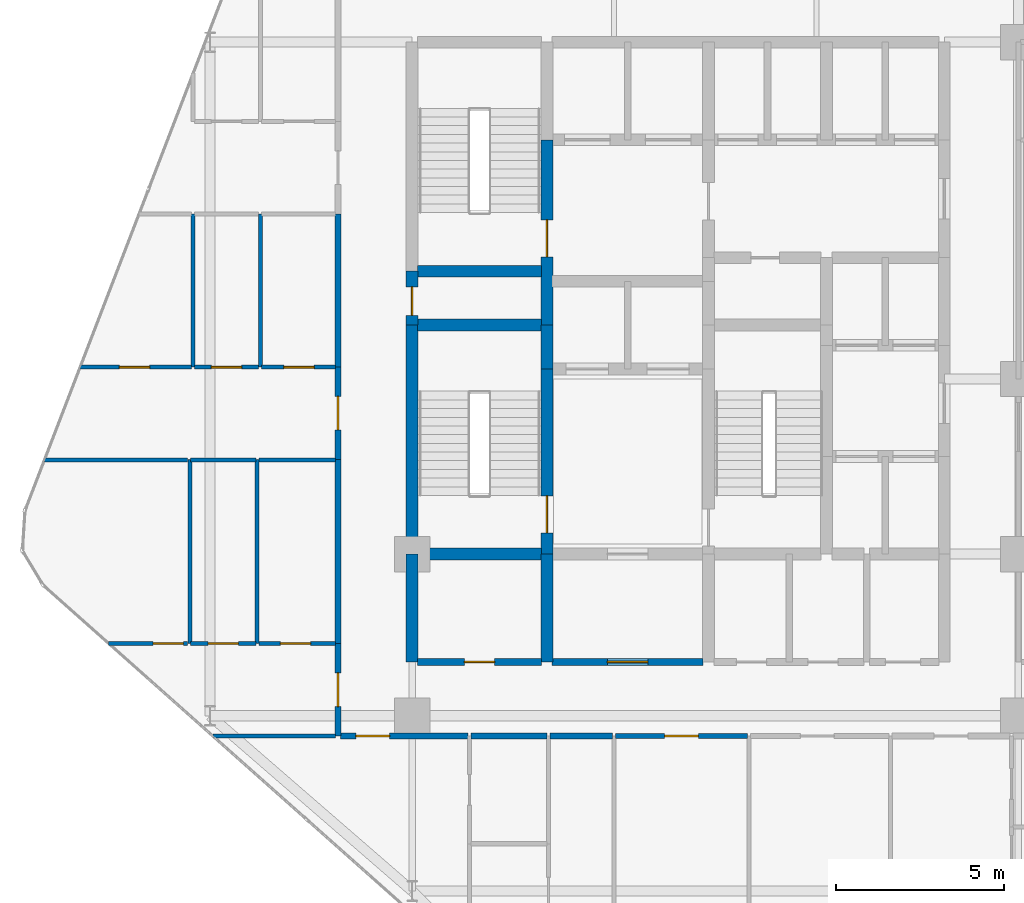
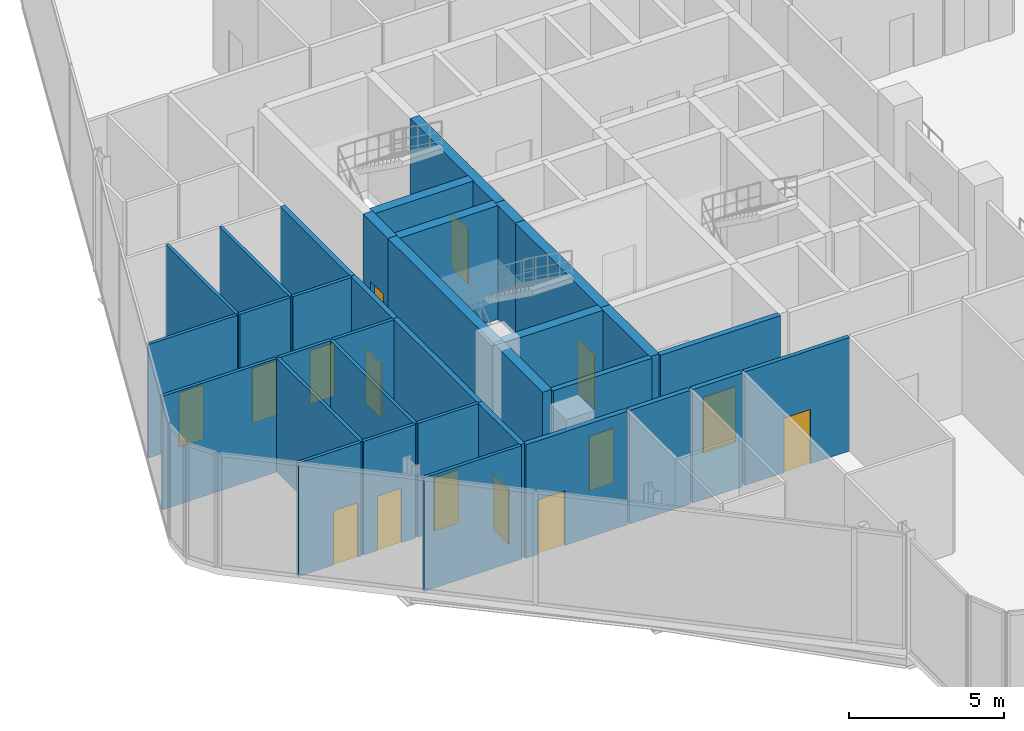
# One storey, part 23 of 29: 34 walls, 15 doors, 15 openings.
"""IFC4 building model written with IfcOpenShell, lengths in metres."""

from ifc_helpers import new_model, si_unit, direction, frame, frame_2d, origin, place, context, subcontext, project, spatial, rectangle, extrude, material, layer, layer_set, type_object, element, fill, save


model = new_model("IFC4")

# Units and contexts
model_context = context("Model", 3, precision=1e-05, world=origin(), true_north=direction((0.0, 1.0)))
body_context = subcontext(model_context, "Body", "Model", "MODEL_VIEW")
ifc_project = project(units=[si_unit("LENGTHUNIT", "METRE"), si_unit("AREAUNIT", "SQUARE_METRE"), si_unit("VOLUMEUNIT", "CUBIC_METRE"), si_unit("PLANEANGLEUNIT", "RADIAN"), si_unit("MASSUNIT", "GRAM", prefix="KILO")], contexts=[model_context])

# Site, building, storey
site_placement = place(None, origin())
site = spatial("IfcSite", under=ifc_project, at=site_placement, CompositionType="ELEMENT")
building_placement = place(site_placement, origin())
building = spatial("IfcBuilding", under=site, at=building_placement, Name="Keshet Zoharim Tower", CompositionType="ELEMENT")
storey_placement = place(building_placement, frame((0.0, 0.0, 120.5)))
storey = spatial("IfcBuildingStorey", under=building, at=storey_placement, Name="L29", CompositionType="ELEMENT", Elevation=120.5)

# Wall, opening, door
ifc_material_1 = material(Name="Gypsum Plasterboard", Category="gypsum")
ifc_layer_1 = layer(ifc_material_1, 0.14990234375)
ifc_layer_set_1 = layer_set([ifc_layer_1], Name="Gypsum Plasterboard")
wall_type_1 = type_object("IfcWallType", Name="WL-CLIN-150", PredefinedType="STANDARD", material=ifc_layer_set_1)
wall_1_placement = place(storey_placement, frame((21.044921875, 17.300048828125, 0.0), z_axis=(0.0, 0.0, 1.0), x_axis=(1.0, 0.0, 0.0)))
wall_1 = element("IfcWall", 1, at=wall_1_placement, inside=storey, type_object=wall_type_1, Name="L29 Interior Wall 134", PredefinedType="STANDARD", context=body_context, shape_type="SweptSolid", body=[
    extrude(rectangle(XDim=3.91015625, YDim=0.14990234375, at=frame_2d((1.955078125, 0.0))), origin(), (0.0, 0.0, 1.0), 4.47998046875),
])
opening_1_placement = place(wall_1_placement, frame((1.455078125, 0.0, 0.0)))
opening_1 = element("IfcOpeningElement", 2, at=opening_1_placement, cuts=wall_1, Name="Opening D-F310", PredefinedType="OPENING", context=body_context, shape_type="SweptSolid", body=[
    extrude(rectangle(XDim=1.0, YDim=2.14990234375, at=frame_2d((0.5, 1.074951171875))), frame((0.0, 0.0849609375, 0.0), z_axis=(0.0, -1.0, 0.0), x_axis=(1.0, 0.0, 0.0)), (0.0, 0.0, 1.0), 0.169921875),
])
ifc_material_2 = material(Name="Hardwood Timber", Category="wood")
door_type_1 = type_object("IfcDoorType", Name="DR-FD30-100", OperationType="NOTDEFINED", PredefinedType="DOOR", material=ifc_material_2)
door_1_placement = place(opening_1_placement, origin())
door_1 = element("IfcDoor", 3, at=door_1_placement, inside=storey, type_object=door_type_1, Name="L29 Shared Floor Laundry Room Door", OperationType="SINGLE_SWING_LEFT", OverallHeight=2.14990234375, OverallWidth=1.0, PredefinedType="DOOR", context=body_context, shape_type="SweptSolid", body=[
    extrude(rectangle(XDim=1.0, YDim=2.14990234375, at=frame_2d((0.5, 1.074951171875))), frame((0.0, 0.02490234375, 0.0), z_axis=(0.0, -1.0, 0.0), x_axis=(1.0, 0.0, 0.0)), (0.0, 0.0, 1.0), 0.050048828125),
])
fill(opening_1, door_1)

# Walls
ifc_material_3 = material(Name="Concrete C60/75", Category="concrete")
ifc_layer_2 = layer(ifc_material_3, 0.35009765625)
ifc_layer_set_2 = layer_set([ifc_layer_2], Name="Concrete C60/75")
wall_type_2 = type_object("IfcWallType", Name="WL-CORE-350", PredefinedType="SHEAR", material=ifc_layer_set_2)
wall_2_placement = place(storey_placement, frame((15.0, 19.5, 0.0), z_axis=(0.0, 0.0, 1.0), x_axis=(0.0, 1.0, 0.0)))
element("IfcWall", 4, at=wall_2_placement, inside=storey, type_object=wall_type_2, Name="L29 Core Shear Wall 013", PredefinedType="SHEAR", context=body_context, shape_type="SweptSolid", body=[
    extrude(rectangle(XDim=3.199951171875, YDim=0.35009765625, at=frame_2d((1.60009765625, 0.0))), origin(), (0.0, 0.0, 1.0), 4.47998046875),
])
wall_3_placement = place(storey_placement, frame((15.0, 22.699951171875, 0.0), z_axis=(0.0, 0.0, 1.0), x_axis=(0.0, 1.0, 0.0)))
element("IfcWall", 5, at=wall_3_placement, inside=storey, type_object=wall_type_2, Name="L29 Core Shear Wall 014", PredefinedType="SHEAR", context=body_context, shape_type="SweptSolid", body=[
    extrude(rectangle(XDim=6.800048828125, YDim=0.35009765625, at=frame_2d((3.39990234375, 0.0))), origin(), (0.0, 0.0, 1.0), 4.47998046875),
])

# Wall, opening, door
wall_4_placement = place(storey_placement, frame((15.0, 29.5, 0.0), z_axis=(0.0, 0.0, 1.0), x_axis=(0.0, 1.0, 0.0)))
wall_4 = element("IfcWall", 6, at=wall_4_placement, inside=storey, type_object=wall_type_2, Name="L29 Core Shear Wall 015", PredefinedType="SHEAR", context=body_context, shape_type="SweptSolid", body=[
    extrude(rectangle(XDim=1.60009765625, YDim=0.35009765625, at=frame_2d((0.800048828125, 0.0))), origin(), (0.0, 0.0, 1.0), 4.47998046875),
])
opening_2_placement = place(wall_4_placement, frame((0.287109375, 0.0, 0.0)))
opening_2 = element("IfcOpeningElement", 7, at=opening_2_placement, cuts=wall_4, Name="Opening D-RS85", PredefinedType="OPENING", context=body_context, shape_type="SweptSolid", body=[
    extrude(rectangle(XDim=0.85009765625, YDim=2.10009765625, at=frame_2d((0.425048828125, 1.050048828125))), frame((0.0, 0.18505859375, 0.0), z_axis=(0.0, -1.0, 0.0), x_axis=(1.0, 0.0, 0.0)), (0.0, 0.0, 1.0), 0.3701171875),
])
door_type_2 = type_object("IfcDoorType", Name="DR-RIS-085", OperationType="NOTDEFINED", PredefinedType="DOOR", material=ifc_material_2)
door_2_placement = place(opening_2_placement, origin())
door_2 = element("IfcDoor", 8, at=door_2_placement, inside=storey, type_object=door_type_2, Name="L29 Electrical Riser Access Cupboard Door", OperationType="SINGLE_SWING_LEFT", OverallHeight=2.10009765625, OverallWidth=0.85009765625, PredefinedType="DOOR", context=body_context, shape_type="SweptSolid", body=[
    extrude(rectangle(XDim=0.85009765625, YDim=2.10009765625, at=frame_2d((0.425048828125, 1.050048828125))), frame((0.0, 0.02490234375, 0.0), z_axis=(0.0, -1.0, 0.0), x_axis=(1.0, 0.0, 0.0)), (0.0, 0.0, 1.0), 0.050048828125),
])
fill(opening_2, door_2)

# Wall
wall_5_placement = place(storey_placement, frame((19.0, 19.5, 0.0), z_axis=(0.0, 0.0, 1.0), x_axis=(0.0, 1.0, 0.0)))
element("IfcWall", 9, at=wall_5_placement, inside=storey, type_object=wall_type_2, Name="L29 Core Shear Wall 021", PredefinedType="SHEAR", context=body_context, shape_type="SweptSolid", body=[
    extrude(rectangle(XDim=3.199951171875, YDim=0.35009765625, at=frame_2d((1.60009765625, 0.0))), origin(), (0.0, 0.0, 1.0), 4.47998046875),
])

# Wall, opening, door
wall_6_placement = place(storey_placement, frame((19.0, 22.699951171875, 0.0), z_axis=(0.0, 0.0, 1.0), x_axis=(0.0, 1.0, 0.0)))
wall_6 = element("IfcWall", 10, at=wall_6_placement, inside=storey, type_object=wall_type_2, Name="L29 Core Shear Wall 022", PredefinedType="SHEAR", context=body_context, shape_type="SweptSolid", body=[
    extrude(rectangle(XDim=5.5, YDim=0.35009765625, at=frame_2d((2.75, 0.0))), origin(), (0.0, 0.0, 1.0), 4.47998046875),
])
opening_3_placement = place(wall_6_placement, frame((0.631103515625, 0.0, 0.0)))
opening_3 = element("IfcOpeningElement", 11, at=opening_3_placement, cuts=wall_6, Name="Opening D-F611", PredefinedType="OPENING", context=body_context, shape_type="SweptSolid", body=[
    extrude(rectangle(XDim=1.10009765625, YDim=2.14990234375, at=frame_2d((0.550048828125, 1.074951171875))), frame((0.0, 0.18505859375, 0.0), z_axis=(0.0, -1.0, 0.0), x_axis=(1.0, 0.0, 0.0)), (0.0, 0.0, 1.0), 0.3701171875),
])
door_type_3 = type_object("IfcDoorType", Name="DR-FD60-110", OperationType="NOTDEFINED", PredefinedType="DOOR", material=ifc_material_2)
door_3_placement = place(opening_3_placement, origin())
door_3 = element("IfcDoor", 12, at=door_3_placement, inside=storey, type_object=door_type_3, Name="L29 Exit Stair ST-01 Fire Door", OperationType="SINGLE_SWING_RIGHT", OverallHeight=2.14990234375, OverallWidth=1.10009765625, PredefinedType="DOOR", context=body_context, shape_type="SweptSolid", body=[
    extrude(rectangle(XDim=1.10009765625, YDim=2.14990234375, at=frame_2d((0.550048828125, 1.074951171875))), frame((0.0, 0.02490234375, 0.0), z_axis=(0.0, -1.0, 0.0), x_axis=(1.0, 0.0, 0.0)), (0.0, 0.0, 1.0), 0.050048828125),
])
fill(opening_3, door_3)

# Wall
wall_7_placement = place(storey_placement, frame((19.0, 28.199951171875, 0.0), z_axis=(0.0, 0.0, 1.0), x_axis=(0.0, 1.0, 0.0)))
element("IfcWall", 13, at=wall_7_placement, inside=storey, type_object=wall_type_2, Name="L29 Core Shear Wall 023", PredefinedType="SHEAR", context=body_context, shape_type="SweptSolid", body=[
    extrude(rectangle(XDim=1.300048828125, YDim=0.35009765625, at=frame_2d((0.64990234375, 0.0))), origin(), (0.0, 0.0, 1.0), 4.47998046875),
])

# Wall, opening, door
wall_8_placement = place(storey_placement, frame((19.0, 29.5, 0.0), z_axis=(0.0, 0.0, 1.0), x_axis=(0.0, 1.0, 0.0)))
wall_8 = element("IfcWall", 14, at=wall_8_placement, inside=storey, type_object=wall_type_2, Name="L29 Core Shear Wall 024", PredefinedType="SHEAR", context=body_context, shape_type="SweptSolid", body=[
    extrude(rectangle(XDim=5.5, YDim=0.35009765625, at=frame_2d((2.75, 0.0))), origin(), (0.0, 0.0, 1.0), 4.47998046875),
])
opening_4_placement = place(wall_8_placement, frame((2.02490234375, 0.0, 0.0)))
opening_4 = element("IfcOpeningElement", 15, at=opening_4_placement, cuts=wall_8, Name="Opening D-F611", PredefinedType="OPENING", context=body_context, shape_type="SweptSolid", body=[
    extrude(rectangle(XDim=1.10009765625, YDim=2.14990234375, at=frame_2d((0.550048828125, 1.074951171875))), frame((0.0, 0.18505859375, 0.0), z_axis=(0.0, -1.0, 0.0), x_axis=(1.0, 0.0, 0.0)), (0.0, 0.0, 1.0), 0.3701171875),
])
door_4_placement = place(opening_4_placement, origin())
door_4 = element("IfcDoor", 16, at=door_4_placement, inside=storey, type_object=door_type_3, Name="L29 Exit Stair ST-02 Fire Door", OperationType="SINGLE_SWING_LEFT", OverallHeight=2.14990234375, OverallWidth=1.10009765625, PredefinedType="DOOR", context=body_context, shape_type="SweptSolid", body=[
    extrude(rectangle(XDim=1.10009765625, YDim=2.14990234375, at=frame_2d((0.550048828125, 1.074951171875))), frame((0.0, 0.02490234375, 0.0), z_axis=(0.0, -1.0, 0.0), x_axis=(1.0, 0.0, 0.0)), (0.0, 0.0, 1.0), 0.050048828125),
])
fill(opening_4, door_4)

# Walls
for number, where, z_axis, x_axis, name in (
    (17, (15.159912109375, 22.699951171875, 0.0), (0.0, 0.0, 1.0), (1.0, 0.0, 0.0), "L29 Core Shear Wall 152"),
    (18, (15.159912109375, 29.5, 0.0), (0.0, 0.0, 1.0), (1.0, 0.0, 0.0), "L29 Core Shear Wall 166"),
    (19, (15.159912109375, 31.10009765625, 0.0), (0.0, 0.0, 1.0), (1.0, 0.0, 0.0), "L29 Core Shear Wall 169"),
):
    element("IfcWall", number, at=place(storey_placement, frame(where, z_axis=z_axis, x_axis=x_axis)), inside=storey, type_object=wall_type_2, Name=name, PredefinedType="SHEAR", context=body_context, shape_type="SweptSolid", body=[
        extrude(rectangle(XDim=3.68017578125, YDim=0.35009765625, at=frame_2d((1.840087890625, 0.0))), origin(), (0.0, 0.0, 1.0), 4.47998046875),
    ])

# Wall, opening, door
ifc_layer_3 = layer(ifc_material_1, 0.179931640625)
ifc_layer_set_3 = layer_set([ifc_layer_3], Name="Gypsum Plasterboard")
wall_type_3 = type_object("IfcWallType", Name="WL-CORR-180", PredefinedType="STANDARD", material=ifc_layer_set_3)
wall_9_placement = place(storey_placement, frame((12.800048828125, 17.300048828125, 0.0), z_axis=(0.0, 0.0, 1.0), x_axis=(0.0, 1.0, 0.0)))
wall_9 = element("IfcWall", 20, at=wall_9_placement, inside=storey, type_object=wall_type_3, Name="L29 Interior Wall 007", PredefinedType="STANDARD", context=body_context, shape_type="SweptSolid", body=[
    extrude(rectangle(XDim=2.75, YDim=0.179931640625, at=frame_2d((1.375, 0.0))), origin(), (0.0, 0.0, 1.0), 4.47998046875),
])
opening_5_placement = place(wall_9_placement, frame((0.875, 0.0, 0.0)))
opening_5 = element("IfcOpeningElement", 21, at=opening_5_placement, cuts=wall_9, Name="Opening D-F310", PredefinedType="OPENING", context=body_context, shape_type="SweptSolid", body=[
    extrude(rectangle(XDim=1.0, YDim=2.14990234375, at=frame_2d((0.5, 1.074951171875))), frame((0.0, 0.10009765625, 0.0), z_axis=(0.0, -1.0, 0.0), x_axis=(1.0, 0.0, 0.0)), (0.0, 0.0, 1.0), 0.199951171875),
])
door_5_placement = place(opening_5_placement, origin())
door_5 = element("IfcDoor", 22, at=door_5_placement, inside=storey, type_object=door_type_1, Name="Apartment 2910 Entrance Door", OperationType="SINGLE_SWING_RIGHT", OverallHeight=2.14990234375, OverallWidth=1.0, PredefinedType="DOOR", context=body_context, shape_type="SweptSolid", body=[
    extrude(rectangle(XDim=1.0, YDim=2.14990234375, at=frame_2d((0.5, 1.074951171875))), frame((0.0, 0.02490234375, 0.0), z_axis=(0.0, -1.0, 0.0), x_axis=(1.0, 0.0, 0.0)), (0.0, 0.0, 1.0), 0.050048828125),
])
fill(opening_5, door_5)

# Wall
wall_10_placement = place(storey_placement, frame((12.800048828125, 20.050048828125, 0.0), z_axis=(0.0, 0.0, 1.0), x_axis=(0.0, 1.0, 0.0)))
element("IfcWall", 23, at=wall_10_placement, inside=storey, type_object=wall_type_3, Name="L29 Interior Wall 008", PredefinedType="STANDARD", context=body_context, shape_type="SweptSolid", body=[
    extrude(rectangle(XDim=5.4599609375, YDim=0.179931640625, at=frame_2d((2.72998046875, 0.0))), origin(), (0.0, 0.0, 1.0), 4.47998046875),
])

# Wall, opening, door
wall_11_placement = place(storey_placement, frame((12.800048828125, 25.510009765625, 0.0), z_axis=(0.0, 0.0, 1.0), x_axis=(0.0, 1.0, 0.0)))
wall_11 = element("IfcWall", 24, at=wall_11_placement, inside=storey, type_object=wall_type_3, Name="L29 Interior Wall 009", PredefinedType="STANDARD", context=body_context, shape_type="SweptSolid", body=[
    extrude(rectangle(XDim=2.75, YDim=0.179931640625, at=frame_2d((1.375, 0.0))), origin(), (0.0, 0.0, 1.0), 4.47998046875),
])
opening_6_placement = place(wall_11_placement, frame((0.875, 0.0, 0.0)))
opening_6 = element("IfcOpeningElement", 25, at=opening_6_placement, cuts=wall_11, Name="Opening D-F310", PredefinedType="OPENING", context=body_context, shape_type="SweptSolid", body=[
    extrude(rectangle(XDim=1.0, YDim=2.14990234375, at=frame_2d((0.5, 1.074951171875))), frame((0.0, 0.10009765625, 0.0), z_axis=(0.0, -1.0, 0.0), x_axis=(1.0, 0.0, 0.0)), (0.0, 0.0, 1.0), 0.199951171875),
])
door_6_placement = place(opening_6_placement, origin())
door_6 = element("IfcDoor", 26, at=door_6_placement, inside=storey, type_object=door_type_1, Name="Apartment 2911 Entrance Door", OperationType="SINGLE_SWING_LEFT", OverallHeight=2.14990234375, OverallWidth=1.0, PredefinedType="DOOR", context=body_context, shape_type="SweptSolid", body=[
    extrude(rectangle(XDim=1.0, YDim=2.14990234375, at=frame_2d((0.5, 1.074951171875))), frame((0.0, 0.02490234375, 0.0), z_axis=(0.0, -1.0, 0.0), x_axis=(1.0, 0.0, 0.0)), (0.0, 0.0, 1.0), 0.050048828125),
])
fill(opening_6, door_6)

# Wall
wall_12_placement = place(storey_placement, frame((12.800048828125, 28.260009765625, 0.0), z_axis=(0.0, 0.0, 1.0), x_axis=(0.0, 1.0, 0.0)))
element("IfcWall", 27, at=wall_12_placement, inside=storey, type_object=wall_type_3, Name="L29 Interior Wall 010", PredefinedType="STANDARD", context=body_context, shape_type="SweptSolid", body=[
    extrude(rectangle(XDim=4.5400390625, YDim=0.179931640625, at=frame_2d((2.27001953125, 0.0))), origin(), (0.0, 0.0, 1.0), 4.47998046875),
])

# Wall, opening, door
wall_13_placement = place(storey_placement, frame((12.875, 17.300048828125, 0.0), z_axis=(0.0, 0.0, 1.0), x_axis=(1.0, 0.0, 0.0)))
wall_13 = element("IfcWall", 28, at=wall_13_placement, inside=storey, type_object=wall_type_3, Name="L29 Interior Wall 131", PredefinedType="STANDARD", context=body_context, shape_type="SweptSolid", body=[
    extrude(rectangle(XDim=3.780029296875, YDim=0.179931640625, at=frame_2d((1.89013671875, 0.0))), origin(), (0.0, 0.0, 1.0), 4.47998046875),
])
opening_7_placement = place(wall_13_placement, frame((0.4580078125, 0.0, 0.0)))
opening_7 = element("IfcOpeningElement", 29, at=opening_7_placement, cuts=wall_13, Name="Opening D-F310", PredefinedType="OPENING", context=body_context, shape_type="SweptSolid", body=[
    extrude(rectangle(XDim=1.0, YDim=2.14990234375, at=frame_2d((0.5, 1.074951171875))), frame((0.0, 0.10009765625, 0.0), z_axis=(0.0, -1.0, 0.0), x_axis=(1.0, 0.0, 0.0)), (0.0, 0.0, 1.0), 0.199951171875),
])
door_7_placement = place(opening_7_placement, origin())
door_7 = element("IfcDoor", 30, at=door_7_placement, inside=storey, type_object=door_type_1, Name="Apartment 2901 Entrance Door", OperationType="SINGLE_SWING_RIGHT", OverallHeight=2.14990234375, OverallWidth=1.0, PredefinedType="DOOR", context=body_context, shape_type="SweptSolid", body=[
    extrude(rectangle(XDim=1.0, YDim=2.14990234375, at=frame_2d((0.5, 1.074951171875))), frame((0.0, 0.02490234375, 0.0), z_axis=(0.0, -1.0, 0.0), x_axis=(1.0, 0.0, 0.0)), (0.0, 0.0, 1.0), 0.050048828125),
])
fill(opening_7, door_7)

# Walls
wall_14_placement = place(storey_placement, frame((16.7451171875, 17.300048828125, 0.0), z_axis=(0.0, 0.0, 1.0), x_axis=(1.0, 0.0, 0.0)))
element("IfcWall", 31, at=wall_14_placement, inside=storey, type_object=wall_type_3, Name="L29 Interior Wall 132", PredefinedType="STANDARD", context=body_context, shape_type="SweptSolid", body=[
    extrude(rectangle(XDim=2.259765625, YDim=0.179931640625, at=frame_2d((1.1298828125, 0.0))), origin(), (0.0, 0.0, 1.0), 4.47998046875),
])
wall_15_placement = place(storey_placement, frame((19.094970703125, 17.300048828125, 0.0), z_axis=(0.0, 0.0, 1.0), x_axis=(1.0, 0.0, 0.0)))
element("IfcWall", 32, at=wall_15_placement, inside=storey, type_object=wall_type_3, Name="L29 Interior Wall 133", PredefinedType="STANDARD", context=body_context, shape_type="SweptSolid", body=[
    extrude(rectangle(XDim=1.860107421875, YDim=0.179931640625, at=frame_2d((0.93017578125, 0.0))), origin(), (0.0, 0.0, 1.0), 4.47998046875),
])

# Wall, opening, door
ifc_material_4 = material(Name="Concrete C50/60", Category="concrete")
ifc_layer_4 = layer(ifc_material_4, 0.199951171875)
ifc_layer_set_4 = layer_set([ifc_layer_4], Name="Concrete C50/60")
wall_type_4 = type_object("IfcWallType", Name="WL-FIRE-200", PredefinedType="STANDARD", material=ifc_layer_set_4)
wall_16_placement = place(storey_placement, frame((15.159912109375, 19.5, 0.0), z_axis=(0.0, 0.0, 1.0), x_axis=(1.0, 0.0, 0.0)))
wall_16 = element("IfcWall", 33, at=wall_16_placement, inside=storey, type_object=wall_type_4, Name="L29 Interior Wall 144", PredefinedType="STANDARD", context=body_context, shape_type="SweptSolid", body=[
    extrude(rectangle(XDim=3.68017578125, YDim=0.199951171875, at=frame_2d((1.840087890625, 0.0))), origin(), (0.0, 0.0, 1.0), 4.47998046875),
])
opening_8_placement = place(wall_16_placement, frame((1.389892578125, 0.0, 0.0)))
opening_8 = element("IfcOpeningElement", 34, at=opening_8_placement, cuts=wall_16, Name="Opening D-F690", PredefinedType="OPENING", context=body_context, shape_type="SweptSolid", body=[
    extrude(rectangle(XDim=0.89990234375, YDim=2.14990234375, at=frame_2d((0.449951171875, 1.074951171875))), frame((0.0, 0.10986328125, 0.0), z_axis=(0.0, -1.0, 0.0), x_axis=(1.0, 0.0, 0.0)), (0.0, 0.0, 1.0), 0.219970703125),
])
door_type_4 = type_object("IfcDoorType", Name="DR-FD60-090", OperationType="NOTDEFINED", PredefinedType="DOOR", material=ifc_material_2)
door_8_placement = place(opening_8_placement, origin())
door_8 = element("IfcDoor", 35, at=door_8_placement, inside=storey, type_object=door_type_4, Name="L29 Pram Store Door", OperationType="SINGLE_SWING_LEFT", OverallHeight=2.14990234375, OverallWidth=0.89990234375, PredefinedType="DOOR", context=body_context, shape_type="SweptSolid", body=[
    extrude(rectangle(XDim=0.89990234375, YDim=2.14990234375, at=frame_2d((0.449951171875, 1.074951171875))), frame((0.0, 0.02490234375, 0.0), z_axis=(0.0, -1.0, 0.0), x_axis=(1.0, 0.0, 0.0)), (0.0, 0.0, 1.0), 0.050048828125),
])
fill(opening_8, door_8)

wall_17_placement = place(storey_placement, frame((19.159912109375, 19.5, 0.0), z_axis=(0.0, 0.0, 1.0), x_axis=(1.0, 0.0, 0.0)))
wall_17 = element("IfcWall", 36, at=wall_17_placement, inside=storey, type_object=wall_type_4, Name="L29 Interior Wall 145", PredefinedType="STANDARD", context=body_context, shape_type="SweptSolid", body=[
    extrude(rectangle(XDim=4.47998046875, YDim=0.199951171875, at=frame_2d((2.239990234375, 0.0))), origin(), (0.0, 0.0, 1.0), 4.47998046875),
])
opening_9_placement = place(wall_17_placement, frame((1.639892578125, 0.0, 0.0)))
opening_9 = element("IfcOpeningElement", 37, at=opening_9_placement, cuts=wall_17, Name="Opening D-F612", PredefinedType="OPENING", context=body_context, shape_type="SweptSolid", body=[
    extrude(rectangle(XDim=1.199951171875, YDim=2.199951171875, at=frame_2d((0.60009765625, 1.10009765625))), frame((0.0, 0.10986328125, 0.0), z_axis=(0.0, -1.0, 0.0), x_axis=(1.0, 0.0, 0.0)), (0.0, 0.0, 1.0), 0.219970703125),
])
door_type_5 = type_object("IfcDoorType", Name="DR-FD60-120", OperationType="NOTDEFINED", PredefinedType="DOOR", material=ifc_material_2)
door_9_placement = place(opening_9_placement, origin())
door_9 = element("IfcDoor", 38, at=door_9_placement, inside=storey, type_object=door_type_5, Name="L29 South Vestibule Corridor Door", OperationType="SINGLE_SWING_RIGHT", OverallHeight=2.199951171875, OverallWidth=1.199951171875, PredefinedType="DOOR", context=body_context, shape_type="SweptSolid", body=[
    extrude(rectangle(XDim=1.199951171875, YDim=2.199951171875, at=frame_2d((0.60009765625, 1.10009765625))), frame((0.0, 0.02490234375, 0.0), z_axis=(0.0, -1.0, 0.0), x_axis=(1.0, 0.0, 0.0)), (0.0, 0.0, 1.0), 0.050048828125),
])
fill(opening_9, door_9)

# Walls
ifc_layer_5 = layer(ifc_material_1, 0.1201171875)
ifc_layer_set_5 = layer_set([ifc_layer_5], Name="Gypsum Plasterboard")
wall_type_5 = type_object("IfcWallType", Name="WL-PART-120", PredefinedType="PARTITIONING", material=ifc_layer_set_5)
wall_18_placement = place(storey_placement, frame((8.39990234375, 20.050048828125, 0.0), z_axis=(0.0, 0.0, 1.0), x_axis=(0.0, 1.0, 0.0)))
element("IfcWall", 39, at=wall_18_placement, inside=storey, type_object=wall_type_5, Name="L29 Interior Wall 001", PredefinedType="PARTITIONING", context=body_context, shape_type="SweptSolid", body=[
    extrude(rectangle(XDim=5.4599609375, YDim=0.1201171875, at=frame_2d((2.72998046875, 0.0))), origin(), (0.0, 0.0, 1.0), 4.47998046875),
])
wall_19_placement = place(storey_placement, frame((8.5, 28.260009765625, 0.0), z_axis=(0.0, 0.0, 1.0), x_axis=(0.0, 1.0, 0.0)))
element("IfcWall", 40, at=wall_19_placement, inside=storey, type_object=wall_type_5, Name="L29 Interior Wall 002", PredefinedType="PARTITIONING", context=body_context, shape_type="SweptSolid", body=[
    extrude(rectangle(XDim=4.5400390625, YDim=0.1201171875, at=frame_2d((2.27001953125, 0.0))), origin(), (0.0, 0.0, 1.0), 4.47998046875),
])
wall_20_placement = place(storey_placement, frame((9.0849609375, 17.300048828125, 0.0), z_axis=(0.0, 0.0, 1.0), x_axis=(1.0, 0.0, 0.0)))
element("IfcWall", 41, at=wall_20_placement, inside=storey, type_object=wall_type_5, Name="L29 Interior Wall 130", PredefinedType="PARTITIONING", context=body_context, shape_type="SweptSolid", body=[
    extrude(rectangle(XDim=3.64013671875, YDim=0.1201171875, at=frame_2d((1.820068359375, 0.0))), origin(), (0.0, 0.0, 1.0), 4.47998046875),
])

# Wall, opening, door
wall_21_placement = place(storey_placement, frame((5.990966796875, 20.050048828125, 0.0), z_axis=(0.0, 0.0, 1.0), x_axis=(1.0, 0.0, 0.0)))
wall_21 = element("IfcWall", 42, at=wall_21_placement, inside=storey, type_object=wall_type_5, Name="L29 Interior Wall 149", PredefinedType="PARTITIONING", context=body_context, shape_type="SweptSolid", body=[
    extrude(rectangle(XDim=2.340087890625, YDim=0.1201171875, at=frame_2d((1.169921875, 0.0))), origin(), (0.0, 0.0, 1.0), 4.47998046875),
])
opening_10_placement = place(wall_21_placement, frame((1.320068359375, 0.0, 0.0)))
opening_10 = element("IfcOpeningElement", 43, at=opening_10_placement, cuts=wall_21, Name="Opening D-IN90", PredefinedType="OPENING", context=body_context, shape_type="SweptSolid", body=[
    extrude(rectangle(XDim=0.89990234375, YDim=2.14990234375, at=frame_2d((0.449951171875, 1.074951171875))), frame((0.0, 0.070068359375, 0.0), z_axis=(0.0, -1.0, 0.0), x_axis=(1.0, 0.0, 0.0)), (0.0, 0.0, 1.0), 0.14013671875),
])
door_type_6 = type_object("IfcDoorType", Name="DR-INT-090", OperationType="NOTDEFINED", PredefinedType="DOOR", material=ifc_material_2)
door_10_placement = place(opening_10_placement, origin())
door_10 = element("IfcDoor", 44, at=door_10_placement, inside=storey, type_object=door_type_6, Name="Apartment 2910 Bedroom 1 Door", OperationType="SINGLE_SWING_RIGHT", OverallHeight=2.14990234375, OverallWidth=0.89990234375, PredefinedType="DOOR", context=body_context, shape_type="SweptSolid", body=[
    extrude(rectangle(XDim=0.89990234375, YDim=2.14990234375, at=frame_2d((0.449951171875, 1.074951171875))), frame((0.0, 0.02490234375, 0.0), z_axis=(0.0, -1.0, 0.0), x_axis=(1.0, 0.0, 0.0)), (0.0, 0.0, 1.0), 0.050048828125),
])
fill(opening_10, door_10)

wall_22_placement = place(storey_placement, frame((8.4208984375, 20.050048828125, 0.0), z_axis=(0.0, 0.0, 1.0), x_axis=(1.0, 0.0, 0.0)))
wall_22 = element("IfcWall", 45, at=wall_22_placement, inside=storey, type_object=wall_type_5, Name="L29 Interior Wall 150", PredefinedType="PARTITIONING", context=body_context, shape_type="SweptSolid", body=[
    extrude(rectangle(XDim=1.945068359375, YDim=0.1201171875, at=frame_2d((0.97265625, 0.0))), origin(), (0.0, 0.0, 1.0), 4.47998046875),
])
opening_11_placement = place(wall_22_placement, frame((0.52197265625, 0.0, 0.0)))
opening_11 = element("IfcOpeningElement", 46, at=opening_11_placement, cuts=wall_22, Name="Opening D-IN90", PredefinedType="OPENING", context=body_context, shape_type="SweptSolid", body=[
    extrude(rectangle(XDim=0.89990234375, YDim=2.14990234375, at=frame_2d((0.449951171875, 1.074951171875))), frame((0.0, 0.070068359375, 0.0), z_axis=(0.0, -1.0, 0.0), x_axis=(1.0, 0.0, 0.0)), (0.0, 0.0, 1.0), 0.14013671875),
])
door_11_placement = place(opening_11_placement, origin())
door_11 = element("IfcDoor", 47, at=door_11_placement, inside=storey, type_object=door_type_6, Name="Apartment 2910 Kitchen Door", OperationType="SINGLE_SWING_LEFT", OverallHeight=2.14990234375, OverallWidth=0.89990234375, PredefinedType="DOOR", context=body_context, shape_type="SweptSolid", body=[
    extrude(rectangle(XDim=0.89990234375, YDim=2.14990234375, at=frame_2d((0.449951171875, 1.074951171875))), frame((0.0, 0.02490234375, 0.0), z_axis=(0.0, -1.0, 0.0), x_axis=(1.0, 0.0, 0.0)), (0.0, 0.0, 1.0), 0.050048828125),
])
fill(opening_11, door_11)

# Walls
wall_23_placement = place(storey_placement, frame((4.0869140625, 25.5, 0.0), z_axis=(0.0, 0.0, 1.0), x_axis=(1.0, 0.0, 0.0)))
element("IfcWall", 48, at=wall_23_placement, inside=storey, type_object=wall_type_5, Name="L29 Interior Wall 157", PredefinedType="PARTITIONING", context=body_context, shape_type="SweptSolid", body=[
    extrude(rectangle(XDim=4.244140625, YDim=0.1201171875, at=frame_2d((2.1220703125, 0.0))), origin(), (0.0, 0.0, 1.0), 4.47998046875),
])
wall_24_placement = place(storey_placement, frame((8.4208984375, 25.5, 0.0), z_axis=(0.0, 0.0, 1.0), x_axis=(1.0, 0.0, 0.0)))
element("IfcWall", 49, at=wall_24_placement, inside=storey, type_object=wall_type_5, Name="L29 Interior Wall 158", PredefinedType="PARTITIONING", context=body_context, shape_type="SweptSolid", body=[
    extrude(rectangle(XDim=1.945068359375, YDim=0.1201171875, at=frame_2d((0.97265625, 0.0))), origin(), (0.0, 0.0, 1.0), 4.47998046875),
])

# Wall, opening, door
wall_25_placement = place(storey_placement, frame((5.14404296875, 28.25, 0.0), z_axis=(0.0, 0.0, 1.0), x_axis=(1.0, 0.0, 0.0)))
wall_25 = element("IfcWall", 50, at=wall_25_placement, inside=storey, type_object=wall_type_5, Name="L29 Interior Wall 162", PredefinedType="PARTITIONING", context=body_context, shape_type="SweptSolid", body=[
    extrude(rectangle(XDim=3.31103515625, YDim=0.1201171875, at=frame_2d((1.655517578125, 0.0))), origin(), (0.0, 0.0, 1.0), 4.47998046875),
])
opening_12_placement = place(wall_25_placement, frame((1.162109375, 0.0, 0.0)))
opening_12 = element("IfcOpeningElement", 51, at=opening_12_placement, cuts=wall_25, Name="Opening D-IN90", PredefinedType="OPENING", context=body_context, shape_type="SweptSolid", body=[
    extrude(rectangle(XDim=0.89990234375, YDim=2.14990234375, at=frame_2d((0.449951171875, 1.074951171875))), frame((0.0, 0.070068359375, 0.0), z_axis=(0.0, -1.0, 0.0), x_axis=(1.0, 0.0, 0.0)), (0.0, 0.0, 1.0), 0.14013671875),
])
door_12_placement = place(opening_12_placement, origin())
door_12 = element("IfcDoor", 52, at=door_12_placement, inside=storey, type_object=door_type_6, Name="Apartment 2911 Bedroom 1 Door", OperationType="SINGLE_SWING_RIGHT", OverallHeight=2.14990234375, OverallWidth=0.89990234375, PredefinedType="DOOR", context=body_context, shape_type="SweptSolid", body=[
    extrude(rectangle(XDim=0.89990234375, YDim=2.14990234375, at=frame_2d((0.449951171875, 1.074951171875))), frame((0.0, 0.02490234375, 0.0), z_axis=(0.0, -1.0, 0.0), x_axis=(1.0, 0.0, 0.0)), (0.0, 0.0, 1.0), 0.050048828125),
])
fill(opening_12, door_12)

wall_26_placement = place(storey_placement, frame((8.544921875, 28.25, 0.0), z_axis=(0.0, 0.0, 1.0), x_axis=(1.0, 0.0, 0.0)))
wall_26 = element("IfcWall", 53, at=wall_26_placement, inside=storey, type_object=wall_type_5, Name="L29 Interior Wall 163", PredefinedType="PARTITIONING", context=body_context, shape_type="SweptSolid", body=[
    extrude(rectangle(XDim=1.88818359375, YDim=0.1201171875, at=frame_2d((0.944091796875, 0.0))), origin(), (0.0, 0.0, 1.0), 4.47998046875),
])
opening_13_placement = place(wall_26_placement, frame((0.493896484375, 0.0, 0.0)))
opening_13 = element("IfcOpeningElement", 54, at=opening_13_placement, cuts=wall_26, Name="Opening D-IN90", PredefinedType="OPENING", context=body_context, shape_type="SweptSolid", body=[
    extrude(rectangle(XDim=0.89990234375, YDim=2.14990234375, at=frame_2d((0.449951171875, 1.074951171875))), frame((0.0, 0.070068359375, 0.0), z_axis=(0.0, -1.0, 0.0), x_axis=(1.0, 0.0, 0.0)), (0.0, 0.0, 1.0), 0.14013671875),
])
door_13_placement = place(opening_13_placement, origin())
door_13 = element("IfcDoor", 55, at=door_13_placement, inside=storey, type_object=door_type_6, Name="Apartment 2911 Kitchen Door", OperationType="SINGLE_SWING_LEFT", OverallHeight=2.14990234375, OverallWidth=0.89990234375, PredefinedType="DOOR", context=body_context, shape_type="SweptSolid", body=[
    extrude(rectangle(XDim=0.89990234375, YDim=2.14990234375, at=frame_2d((0.449951171875, 1.074951171875))), frame((0.0, 0.02490234375, 0.0), z_axis=(0.0, -1.0, 0.0), x_axis=(1.0, 0.0, 0.0)), (0.0, 0.0, 1.0), 0.050048828125),
])
fill(opening_13, door_13)

# Walls
ifc_layer_6 = layer(ifc_material_1, 0.1201171875)
ifc_layer_set_6 = layer_set([ifc_layer_6], Name="Gypsum Plasterboard")
wall_type_6 = type_object("IfcWallType", Name="WL-WET-120", PredefinedType="PARTITIONING", material=ifc_layer_set_6)
wall_27_placement = place(storey_placement, frame((10.39990234375, 20.050048828125, 0.0), z_axis=(0.0, 0.0, 1.0), x_axis=(0.0, 1.0, 0.0)))
element("IfcWall", 56, at=wall_27_placement, inside=storey, type_object=wall_type_6, Name="L29 Interior Wall 004", PredefinedType="PARTITIONING", context=body_context, shape_type="SweptSolid", body=[
    extrude(rectangle(XDim=5.4599609375, YDim=0.1201171875, at=frame_2d((2.72998046875, 0.0))), origin(), (0.0, 0.0, 1.0), 4.47998046875),
])
wall_28_placement = place(storey_placement, frame((10.5, 28.260009765625, 0.0), z_axis=(0.0, 0.0, 1.0), x_axis=(0.0, 1.0, 0.0)))
element("IfcWall", 57, at=wall_28_placement, inside=storey, type_object=wall_type_6, Name="L29 Interior Wall 005", PredefinedType="PARTITIONING", context=body_context, shape_type="SweptSolid", body=[
    extrude(rectangle(XDim=4.5400390625, YDim=0.1201171875, at=frame_2d((2.27001953125, 0.0))), origin(), (0.0, 0.0, 1.0), 4.47998046875),
])

# Wall, opening, door
wall_29_placement = place(storey_placement, frame((10.4560546875, 20.050048828125, 0.0), z_axis=(0.0, 0.0, 1.0), x_axis=(1.0, 0.0, 0.0)))
wall_29 = element("IfcWall", 58, at=wall_29_placement, inside=storey, type_object=wall_type_6, Name="L29 Interior Wall 151", PredefinedType="PARTITIONING", context=body_context, shape_type="SweptSolid", body=[
    extrude(rectangle(XDim=2.26904296875, YDim=0.1201171875, at=frame_2d((1.134521484375, 0.0))), origin(), (0.0, 0.0, 1.0), 4.47998046875),
])
opening_14_placement = place(wall_29_placement, frame((0.62890625, 0.0, 0.0)))
opening_14 = element("IfcOpeningElement", 59, at=opening_14_placement, cuts=wall_29, Name="Opening D-WT90", PredefinedType="OPENING", context=body_context, shape_type="SweptSolid", body=[
    extrude(rectangle(XDim=0.89990234375, YDim=2.10009765625, at=frame_2d((0.449951171875, 1.050048828125))), frame((0.0, 0.070068359375, 0.0), z_axis=(0.0, -1.0, 0.0), x_axis=(1.0, 0.0, 0.0)), (0.0, 0.0, 1.0), 0.14013671875),
])
door_type_7 = type_object("IfcDoorType", Name="DR-WET-090", OperationType="NOTDEFINED", PredefinedType="DOOR", material=ifc_material_2)
door_14_placement = place(opening_14_placement, origin())
door_14 = element("IfcDoor", 60, at=door_14_placement, inside=storey, type_object=door_type_7, Name="Apartment 2910 Bathroom Door", OperationType="SINGLE_SWING_RIGHT", OverallHeight=2.10009765625, OverallWidth=0.89990234375, PredefinedType="DOOR", context=body_context, shape_type="SweptSolid", body=[
    extrude(rectangle(XDim=0.89990234375, YDim=2.10009765625, at=frame_2d((0.449951171875, 1.050048828125))), frame((0.0, 0.02490234375, 0.0), z_axis=(0.0, -1.0, 0.0), x_axis=(1.0, 0.0, 0.0)), (0.0, 0.0, 1.0), 0.050048828125),
])
fill(opening_14, door_14)

# Wall
wall_30_placement = place(storey_placement, frame((10.4560546875, 25.5, 0.0), z_axis=(0.0, 0.0, 1.0), x_axis=(1.0, 0.0, 0.0)))
element("IfcWall", 61, at=wall_30_placement, inside=storey, type_object=wall_type_6, Name="L29 Interior Wall 159", PredefinedType="PARTITIONING", context=body_context, shape_type="SweptSolid", body=[
    extrude(rectangle(XDim=2.26904296875, YDim=0.1201171875, at=frame_2d((1.134521484375, 0.0))), origin(), (0.0, 0.0, 1.0), 4.47998046875),
])

# Wall, opening, door
wall_31_placement = place(storey_placement, frame((10.52294921875, 28.25, 0.0), z_axis=(0.0, 0.0, 1.0), x_axis=(1.0, 0.0, 0.0)))
wall_31 = element("IfcWall", 62, at=wall_31_placement, inside=storey, type_object=wall_type_6, Name="L29 Interior Wall 164", PredefinedType="PARTITIONING", context=body_context, shape_type="SweptSolid", body=[
    extrude(rectangle(XDim=2.2021484375, YDim=0.1201171875, at=frame_2d((1.10107421875, 0.0))), origin(), (0.0, 0.0, 1.0), 4.47998046875),
])
opening_15_placement = place(wall_31_placement, frame((0.666015625, 0.0, 0.0)))
opening_15 = element("IfcOpeningElement", 63, at=opening_15_placement, cuts=wall_31, Name="Opening D-WT90", PredefinedType="OPENING", context=body_context, shape_type="SweptSolid", body=[
    extrude(rectangle(XDim=0.89990234375, YDim=2.10009765625, at=frame_2d((0.449951171875, 1.050048828125))), frame((0.0, 0.070068359375, 0.0), z_axis=(0.0, -1.0, 0.0), x_axis=(1.0, 0.0, 0.0)), (0.0, 0.0, 1.0), 0.14013671875),
])
door_15_placement = place(opening_15_placement, origin())
door_15 = element("IfcDoor", 64, at=door_15_placement, inside=storey, type_object=door_type_7, Name="Apartment 2911 Bathroom Door", OperationType="SINGLE_SWING_RIGHT", OverallHeight=2.10009765625, OverallWidth=0.89990234375, PredefinedType="DOOR", context=body_context, shape_type="SweptSolid", body=[
    extrude(rectangle(XDim=0.89990234375, YDim=2.10009765625, at=frame_2d((0.449951171875, 1.050048828125))), frame((0.0, 0.02490234375, 0.0), z_axis=(0.0, -1.0, 0.0), x_axis=(1.0, 0.0, 0.0)), (0.0, 0.0, 1.0), 0.050048828125),
])
fill(opening_15, door_15)

save(model, "model.ifc")
